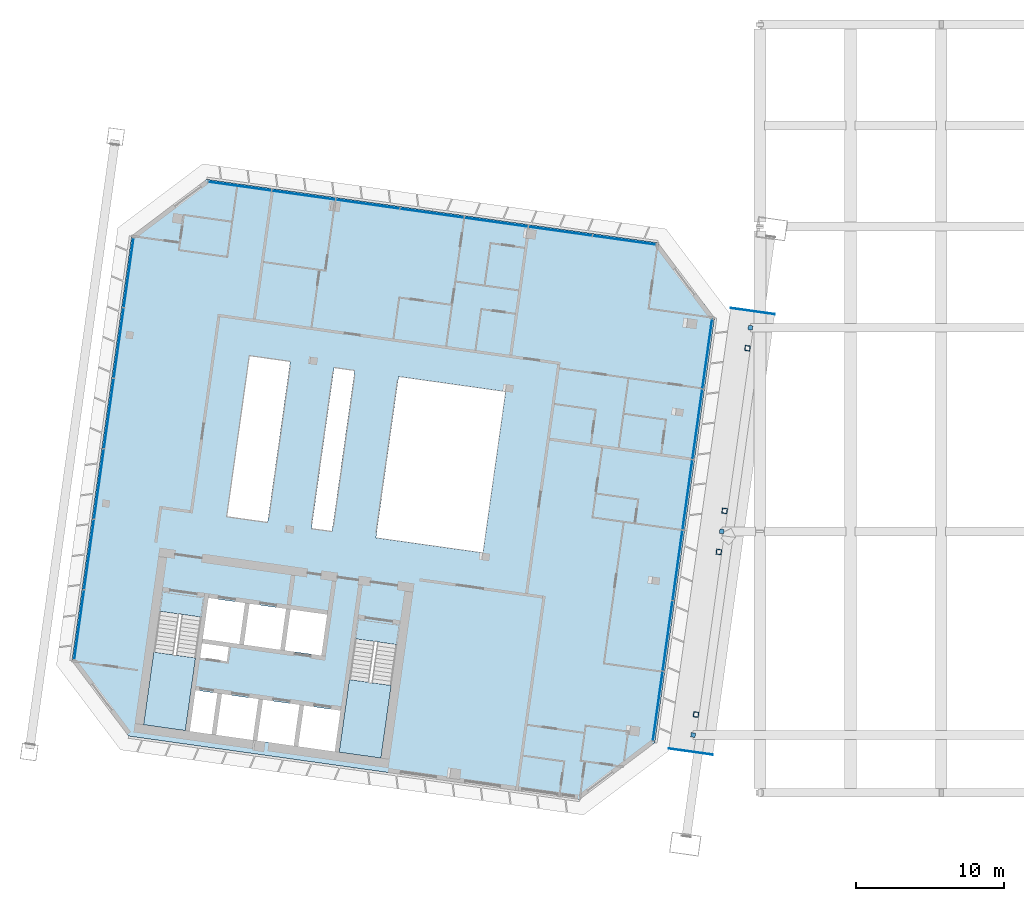
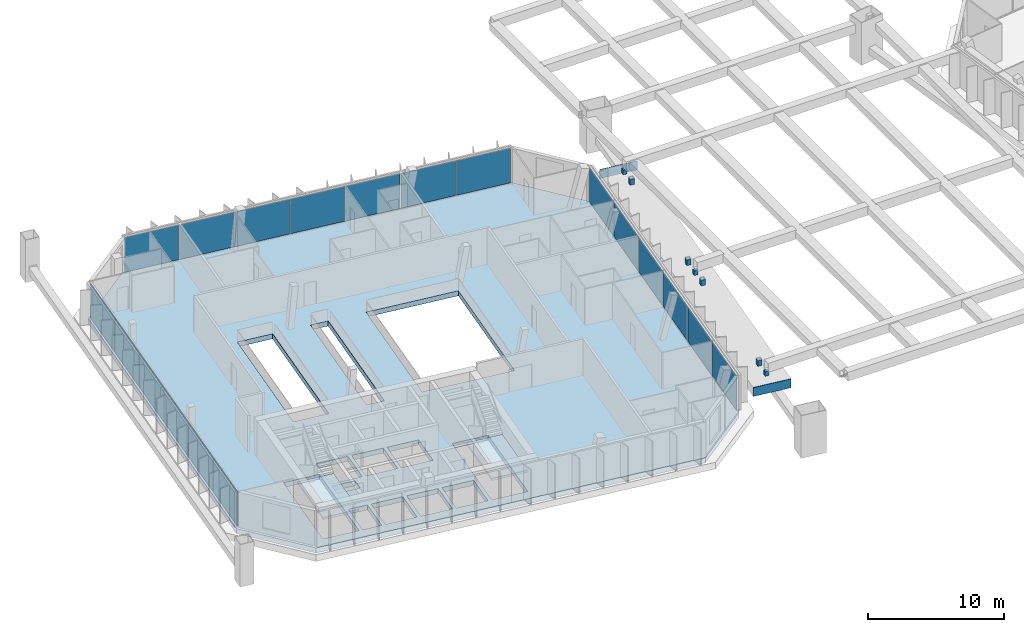
# One storey, part 19 of 36: 21 plates, 7 members, 3 slabs, 5 elements without a shape of their own.
"""IFC4 building model written with IfcOpenShell, lengths in metres."""

from ifc_helpers import new_model, si_unit, direction, frame, origin, origin_2d, place, context, subcontext, project, spatial, polyline, rectangle, hollow_rectangle, outline, extrude, material, layer, layer_set, material_profile, profile_set, type_object, element, aggregate, save


model = new_model("IFC4")

# Units and contexts
model_context = context("Model", 3, precision=1e-05, world=origin(), true_north=direction((0.0, 1.0)))
body_context = subcontext(model_context, "Body", "Model", "MODEL_VIEW")
ifc_project = project(units=[si_unit("LENGTHUNIT", "METRE"), si_unit("AREAUNIT", "SQUARE_METRE"), si_unit("VOLUMEUNIT", "CUBIC_METRE"), si_unit("PLANEANGLEUNIT", "RADIAN"), si_unit("MASSUNIT", "GRAM", prefix="KILO")], contexts=[model_context])

# Site, building, storey
site_placement = place(None, origin())
site = spatial("IfcSite", under=ifc_project, at=site_placement, CompositionType="ELEMENT")
building_placement = place(site_placement, origin())
building = spatial("IfcBuilding", under=site, at=building_placement, Name="Mirante Cascada Hotel Towers", CompositionType="ELEMENT")
storey_placement = place(building_placement, frame((0.0, 0.0, 254.6)))
storey = spatial("IfcBuildingStorey", under=building, at=storey_placement, Name="L61", CompositionType="ELEMENT", Elevation=254.6)

# Members
ifc_material_1 = material(Name="Steel ASTM A572 Gr 50", Category="steel")
ifc_material_profile_1 = material_profile(ifc_material_1, hollow_rectangle(XDim=0.35, YDim=0.35, WallThickness=0.025, at=origin_2d()), Name="Box post 350x350x25 ASTM A572 Gr 50")
ifc_profile_set_1 = profile_set([ifc_material_profile_1], Name="Steel ASTM A572 Gr 50")
member_type_1 = type_object("IfcMemberType", Name="Box post 350x350x25 ASTM A572 Gr 50", PredefinedType="POST", material=ifc_profile_set_1)
for number, where, z_axis, x_axis, name in (
    (1, (-16.5699, -16.2289, 2.1), (0.0, 0.0, 1.0), (-0.9902681, 0.1391731, 0.0), "Shock stop T1 1"),
    (2, (-15.0251, -5.2369, 2.1), (0.0, 0.0, 1.0), (-0.9902681, 0.1391731, 0.0), "Shock stop T1 2"),
    (3, (-14.6354, -2.4642, 2.1), (0.0, 0.0, 1.0), (-0.9902681, 0.1391731, 0.0), "Shock stop T1 3"),
    (4, (-13.0906, 8.5278, 2.1), (0.0, 0.0, 1.0), (-0.9902681, 0.1391731, 0.0), "Shock stop T1 4"),
):
    element("IfcMember", number, at=place(storey_placement, frame(where, z_axis=z_axis, x_axis=x_axis)), inside=storey, type_object=member_type_1, Name=name, PredefinedType="POST", context=body_context, shape_type="SweptSolid", body=[
        extrude(hollow_rectangle(XDim=0.35, YDim=0.35, WallThickness=0.025, at=origin_2d()), origin(), (0.0, 0.0, 1.0), 0.5),
    ])
ifc_material_2 = material(Name="Steel ASTM A572 Gr 50", Category="steel")
ifc_material_profile_2 = material_profile(ifc_material_2, rectangle(XDim=0.3, YDim=0.3, at=origin_2d()), Name="Steel sliding bearing 300x300 ASTM A572 Gr 50")
ifc_profile_set_2 = profile_set([ifc_material_profile_2], Name="Steel ASTM A572 Gr 50")
member_type_2 = type_object("IfcMemberType", Name="Steel sliding bearing 300x300 ASTM A572 Gr 50", PredefinedType="USERDEFINED", material=ifc_profile_set_2)
for number, where, z_axis, x_axis, name in (
    (5, (-16.7647, -17.6153, 2.1), (0.0, 0.0, 1.0), (-0.9902681, 0.1391731, 0.0), "Sliding bearing T1 1"),
    (6, (-14.8302, -3.8505, 2.1), (0.0, 0.0, 1.0), (-0.9902681, 0.1391731, 0.0), "Sliding bearing T1 2"),
    (7, (-12.8957, 9.9142, 2.1), (0.0, 0.0, 1.0), (-0.9902681, 0.1391731, 0.0), "Sliding bearing T1 3"),
):
    element("IfcMember", number, at=place(storey_placement, frame(where, z_axis=z_axis, x_axis=x_axis)), inside=storey, type_object=member_type_2, Name=name, ObjectType="BEARING", PredefinedType="USERDEFINED", context=body_context, shape_type="SweptSolid", body=[
        extrude(rectangle(XDim=0.3, YDim=0.3, at=origin_2d()), origin(), (0.0, 0.0, 1.0), 0.4),
    ])

# Curtain wall, plates
ifc_material_3 = material(Name="Aluminium mullion and transom frame with clear laminated glass", Category="aluminium")
curtain_wall_type_1 = type_object("IfcCurtainWallType", Name="Ribbon curtain wall ECW1", PredefinedType="NOTDEFINED", material=ifc_material_3)
curtain_wall_1_placement = place(storey_placement, origin())
curtain_wall_1 = element("IfcCurtainWall", 8, at=curtain_wall_1_placement, inside=storey, type_object=curtain_wall_type_1, Name="Front ribbon wall T1 L61", PredefinedType="NOTDEFINED")
ifc_material_4 = material(Name="Clear laminated glass", Category="glass")
ifc_layer_1 = layer(ifc_material_4, 0.036)
ifc_layer_set_1 = layer_set([ifc_layer_1], Name="ECW1 glass panel 36")
plate_type_1 = type_object("IfcPlateType", Name="ECW1 glass panel 36", PredefinedType="CURTAIN_PANEL", material=ifc_layer_set_1)
plate_1_placement = place(storey_placement, frame((-47.4111, 19.4822, 0.1), z_axis=(0.0, 0.0, 1.0), x_axis=(0.9902681, -0.1391731, 0.0)))
plate_1 = element("IfcPlate", 9, at=plate_1_placement, type_object=plate_type_1, Name="ECW1 panel 1", PredefinedType="CURTAIN_PANEL", context=body_context, shape_type="SweptSolid", body=[
    extrude(rectangle(XDim=4.283, YDim=0.036, at=origin_2d()), origin(), (0.0, 0.0, 1.0), 3.1),
])
plate_2_placement = place(storey_placement, frame((-43.0893, 18.8748, 0.1), z_axis=(0.0, 0.0, 1.0), x_axis=(0.9902681, -0.1391731, 0.0)))
plate_2 = element("IfcPlate", 10, at=plate_2_placement, type_object=plate_type_1, Name="ECW1 panel 2", PredefinedType="CURTAIN_PANEL", context=body_context, shape_type="SweptSolid", body=[
    extrude(rectangle(XDim=4.3155, YDim=0.036, at=origin_2d()), origin(), (0.0, 0.0, 1.0), 3.1),
])
plate_3_placement = place(storey_placement, frame((-38.7514, 18.2652, 0.1), z_axis=(0.0, 0.0, 1.0), x_axis=(0.9902681, -0.1391731, 0.0)))
plate_3 = element("IfcPlate", 11, at=plate_3_placement, type_object=plate_type_1, Name="ECW1 panel 3", PredefinedType="CURTAIN_PANEL", context=body_context, shape_type="SweptSolid", body=[
    extrude(rectangle(XDim=4.3155, YDim=0.036, at=origin_2d()), origin(), (0.0, 0.0, 1.0), 3.1),
])
plate_4_placement = place(storey_placement, frame((-34.4135, 17.6555, 0.1), z_axis=(0.0, 0.0, 1.0), x_axis=(0.9902681, -0.1391731, 0.0)))
plate_4 = element("IfcPlate", 12, at=plate_4_placement, type_object=plate_type_1, Name="ECW1 panel 4", PredefinedType="CURTAIN_PANEL", context=body_context, shape_type="SweptSolid", body=[
    extrude(rectangle(XDim=4.3155, YDim=0.036, at=origin_2d()), origin(), (0.0, 0.0, 1.0), 3.1),
])
plate_5_placement = place(storey_placement, frame((-30.0756, 17.0459, 0.1), z_axis=(0.0, 0.0, 1.0), x_axis=(0.9902681, -0.1391731, 0.0)))
plate_5 = element("IfcPlate", 13, at=plate_5_placement, type_object=plate_type_1, Name="ECW1 panel 5", PredefinedType="CURTAIN_PANEL", context=body_context, shape_type="SweptSolid", body=[
    extrude(rectangle(XDim=4.3155, YDim=0.036, at=origin_2d()), origin(), (0.0, 0.0, 1.0), 3.1),
])
plate_6_placement = place(storey_placement, frame((-25.7377, 16.4362, 0.1), z_axis=(0.0, 0.0, 1.0), x_axis=(0.9902681, -0.1391731, 0.0)))
plate_6 = element("IfcPlate", 14, at=plate_6_placement, type_object=plate_type_1, Name="ECW1 panel 6", PredefinedType="CURTAIN_PANEL", context=body_context, shape_type="SweptSolid", body=[
    extrude(rectangle(XDim=4.3155, YDim=0.036, at=origin_2d()), origin(), (0.0, 0.0, 1.0), 3.1),
])
plate_7_placement = place(storey_placement, frame((-21.416, 15.8288, 0.1), z_axis=(0.0, 0.0, 1.0), x_axis=(0.9902681, -0.1391731, 0.0)))
plate_7 = element("IfcPlate", 15, at=plate_7_placement, type_object=plate_type_1, Name="ECW1 panel 7", PredefinedType="CURTAIN_PANEL", context=body_context, shape_type="SweptSolid", body=[
    extrude(rectangle(XDim=4.283, YDim=0.036, at=origin_2d()), origin(), (0.0, 0.0, 1.0), 3.1),
])
aggregate(curtain_wall_1, [plate_1, plate_2, plate_3, plate_4, plate_5, plate_6, plate_7])

ifc_material_5 = material(Name="Aluminium mullion and transom frame with clear laminated glass", Category="aluminium")
curtain_wall_type_2 = type_object("IfcCurtainWallType", Name="End ribbon curtain wall ECW2", PredefinedType="NOTDEFINED", material=ifc_material_5)
curtain_wall_2_placement = place(storey_placement, origin())
curtain_wall_2 = element("IfcCurtainWall", 16, at=curtain_wall_2_placement, inside=storey, type_object=curtain_wall_type_2, Name="Inner end wall T1 L61", PredefinedType="NOTDEFINED")
ifc_material_6 = material(Name="Clear laminated glass", Category="glass")
ifc_layer_2 = layer(ifc_material_6, 0.034)
ifc_layer_set_2 = layer_set([ifc_layer_2], Name="ECW2 glass panel 34")
plate_type_2 = type_object("IfcPlateType", Name="ECW2 glass panel 34", PredefinedType="CURTAIN_PANEL", material=ifc_layer_set_2)
plate_8_placement = place(storey_placement, frame((-15.8129, 8.1395, 0.1), z_axis=(0.0, 0.0, 1.0), x_axis=(-0.1391731, -0.9902681, 0.0)))
plate_8 = element("IfcPlate", 17, at=plate_8_placement, type_object=plate_type_2, Name="ECW2 panel 1", PredefinedType="CURTAIN_PANEL", context=body_context, shape_type="SweptSolid", body=[
    extrude(rectangle(XDim=4.7151, YDim=0.034, at=origin_2d()), origin(), (0.0, 0.0, 1.0), 3.1),
])
plate_9_placement = place(storey_placement, frame((-16.4805, 3.3898, 0.1), z_axis=(0.0, 0.0, 1.0), x_axis=(-0.1391731, -0.9902681, 0.0)))
plate_9 = element("IfcPlate", 18, at=plate_9_placement, type_object=plate_type_2, Name="ECW2 panel 2", PredefinedType="CURTAIN_PANEL", context=body_context, shape_type="SweptSolid", body=[
    extrude(rectangle(XDim=4.7476, YDim=0.034, at=origin_2d()), origin(), (0.0, 0.0, 1.0), 3.1),
])
plate_10_placement = place(storey_placement, frame((-17.1502, -1.376, 0.1), z_axis=(0.0, 0.0, 1.0), x_axis=(-0.1391731, -0.9902681, 0.0)))
plate_10 = element("IfcPlate", 19, at=plate_10_placement, type_object=plate_type_2, Name="ECW2 panel 3", PredefinedType="CURTAIN_PANEL", context=body_context, shape_type="SweptSolid", body=[
    extrude(rectangle(XDim=4.7476, YDim=0.034, at=origin_2d()), origin(), (0.0, 0.0, 1.0), 3.1),
])
plate_11_placement = place(storey_placement, frame((-17.82, -6.1417, 0.1), z_axis=(0.0, 0.0, 1.0), x_axis=(-0.1391731, -0.9902681, 0.0)))
plate_11 = element("IfcPlate", 20, at=plate_11_placement, type_object=plate_type_2, Name="ECW2 panel 4", PredefinedType="CURTAIN_PANEL", context=body_context, shape_type="SweptSolid", body=[
    extrude(rectangle(XDim=4.7476, YDim=0.034, at=origin_2d()), origin(), (0.0, 0.0, 1.0), 3.1),
])
plate_12_placement = place(storey_placement, frame((-18.4898, -10.9075, 0.1), z_axis=(0.0, 0.0, 1.0), x_axis=(-0.1391731, -0.9902681, 0.0)))
plate_12 = element("IfcPlate", 21, at=plate_12_placement, type_object=plate_type_2, Name="ECW2 panel 5", PredefinedType="CURTAIN_PANEL", context=body_context, shape_type="SweptSolid", body=[
    extrude(rectangle(XDim=4.7476, YDim=0.034, at=origin_2d()), origin(), (0.0, 0.0, 1.0), 3.1),
])
plate_13_placement = place(storey_placement, frame((-19.1573, -15.6572, 0.1), z_axis=(0.0, 0.0, 1.0), x_axis=(-0.1391731, -0.9902681, 0.0)))
plate_13 = element("IfcPlate", 22, at=plate_13_placement, type_object=plate_type_2, Name="ECW2 panel 6", PredefinedType="CURTAIN_PANEL", context=body_context, shape_type="SweptSolid", body=[
    extrude(rectangle(XDim=4.7151, YDim=0.034, at=origin_2d()), origin(), (0.0, 0.0, 1.0), 3.1),
])
aggregate(curtain_wall_2, [plate_8, plate_9, plate_10, plate_11, plate_12, plate_13])

curtain_wall_3_placement = place(storey_placement, origin())
curtain_wall_3 = element("IfcCurtainWall", 23, at=curtain_wall_3_placement, inside=storey, type_object=curtain_wall_type_2, Name="Outer end wall T1 L61", PredefinedType="NOTDEFINED")
plate_14_placement = place(storey_placement, frame((-58.2609, -10.1616, 0.1), z_axis=(0.0, 0.0, 1.0), x_axis=(0.1391731, 0.9902681, 0.0)))
plate_14 = element("IfcPlate", 24, at=plate_14_placement, type_object=plate_type_2, Name="ECW2 panel 1", PredefinedType="CURTAIN_PANEL", context=body_context, shape_type="SweptSolid", body=[
    extrude(rectangle(XDim=4.7151, YDim=0.034, at=origin_2d()), origin(), (0.0, 0.0, 1.0), 3.1),
])
plate_15_placement = place(storey_placement, frame((-57.5934, -5.4119, 0.1), z_axis=(0.0, 0.0, 1.0), x_axis=(0.1391731, 0.9902681, 0.0)))
plate_15 = element("IfcPlate", 25, at=plate_15_placement, type_object=plate_type_2, Name="ECW2 panel 2", PredefinedType="CURTAIN_PANEL", context=body_context, shape_type="SweptSolid", body=[
    extrude(rectangle(XDim=4.7476, YDim=0.034, at=origin_2d()), origin(), (0.0, 0.0, 1.0), 3.1),
])
plate_16_placement = place(storey_placement, frame((-56.9236, -0.6461, 0.1), z_axis=(0.0, 0.0, 1.0), x_axis=(0.1391731, 0.9902681, 0.0)))
plate_16 = element("IfcPlate", 26, at=plate_16_placement, type_object=plate_type_2, Name="ECW2 panel 3", PredefinedType="CURTAIN_PANEL", context=body_context, shape_type="SweptSolid", body=[
    extrude(rectangle(XDim=4.7476, YDim=0.034, at=origin_2d()), origin(), (0.0, 0.0, 1.0), 3.1),
])
plate_17_placement = place(storey_placement, frame((-56.2538, 4.1197, 0.1), z_axis=(0.0, 0.0, 1.0), x_axis=(0.1391731, 0.9902681, 0.0)))
plate_17 = element("IfcPlate", 27, at=plate_17_placement, type_object=plate_type_2, Name="ECW2 panel 4", PredefinedType="CURTAIN_PANEL", context=body_context, shape_type="SweptSolid", body=[
    extrude(rectangle(XDim=4.7476, YDim=0.034, at=origin_2d()), origin(), (0.0, 0.0, 1.0), 3.1),
])
plate_18_placement = place(storey_placement, frame((-55.584, 8.8855, 0.1), z_axis=(0.0, 0.0, 1.0), x_axis=(0.1391731, 0.9902681, 0.0)))
plate_18 = element("IfcPlate", 28, at=plate_18_placement, type_object=plate_type_2, Name="ECW2 panel 5", PredefinedType="CURTAIN_PANEL", context=body_context, shape_type="SweptSolid", body=[
    extrude(rectangle(XDim=4.7476, YDim=0.034, at=origin_2d()), origin(), (0.0, 0.0, 1.0), 3.1),
])
plate_19_placement = place(storey_placement, frame((-54.9165, 13.6352, 0.1), z_axis=(0.0, 0.0, 1.0), x_axis=(0.1391731, 0.9902681, 0.0)))
plate_19 = element("IfcPlate", 29, at=plate_19_placement, type_object=plate_type_2, Name="ECW2 panel 6", PredefinedType="CURTAIN_PANEL", context=body_context, shape_type="SweptSolid", body=[
    extrude(rectangle(XDim=4.7151, YDim=0.034, at=origin_2d()), origin(), (0.0, 0.0, 1.0), 3.1),
])
aggregate(curtain_wall_3, [plate_14, plate_15, plate_16, plate_17, plate_18, plate_19])

# Plates
ifc_material_7 = material(Name="Steel ASTM A572 Gr 50", Category="steel")
ifc_layer_3 = layer(ifc_material_7, 0.04)
ifc_layer_set_3 = layer_set([ifc_layer_3], Name="End plate 800x3000x40 ASTM A572 Gr 50")
plate_type_3 = type_object("IfcPlateType", Name="End plate 800x3000x40 ASTM A572 Gr 50", PredefinedType="SHEET", material=ifc_layer_set_3)
for number, where, z_axis, x_axis, name in (
    (30, (-16.9221, -18.7351, 1.3), (0.0, 0.0, 1.0), (0.1391731, 0.9902681, 0.0), "End plate SP-SEAT"),
    (31, (-12.7383, 11.034, 1.3), (0.0, 0.0, 1.0), (0.1391731, 0.9902681, 0.0), "End plate SP-SEAT"),
):
    element("IfcPlate", number, at=place(storey_placement, frame(where, z_axis=z_axis, x_axis=x_axis)), inside=storey, type_object=plate_type_3, Name=name, PredefinedType="SHEET", context=body_context, shape_type="SweptSolid", body=[
        extrude(rectangle(XDim=0.04, YDim=3.0, at=origin_2d()), origin(), (0.0, 0.0, 1.0), 0.8),
    ])

# Stair, slab
ifc_material_8 = material(Name="Concrete C35/45", Category="concrete")
stair_type = type_object("IfcStairType", Name="Exit stair half-turn 1350 concrete C35/45", PredefinedType="HALF_TURN_STAIR", material=ifc_material_8)
stair_1_placement = place(storey_placement, origin())
stair_1 = element("IfcStair", 32, at=stair_1_placement, inside=storey, type_object=stair_type, Name="L61 Exit stair A", PredefinedType="HALF_TURN_STAIR")
ifc_material_9 = material(Name="Concrete C35/45", Category="concrete")
ifc_layer_4 = layer(ifc_material_9, 0.2)
ifc_layer_set_4 = layer_set([ifc_layer_4], Name="Exit stair landing 200 concrete C35/45")
slab_type_1 = type_object("IfcSlabType", Name="Exit stair landing 200 concrete C35/45", PredefinedType="LANDING", material=ifc_layer_set_4)
slab_1_placement = place(storey_placement, frame((0.0, 0.0, 1.7)))
slab_1 = element("IfcSlab", 33, at=slab_1_placement, type_object=slab_type_1, Name="ST1-A landing 1", PredefinedType="LANDING", context=body_context, shape_type="SweptSolid", body=[
    extrude(outline(polyline([(-39.9987, -13.8659), (-40.6887, -18.7757), (-37.8665, -19.1723), (-37.1765, -14.2626), (-39.9987, -13.8659)])), origin(), (0.0, 0.0, 1.0), 0.2),
])
aggregate(stair_1, [slab_1])

stair_2_placement = place(storey_placement, origin())
stair_2 = element("IfcStair", 34, at=stair_2_placement, inside=storey, type_object=stair_type, Name="L61 Exit stair B", PredefinedType="HALF_TURN_STAIR")
slab_2_placement = place(storey_placement, frame((0.0, 0.0, 1.7)))
slab_2 = element("IfcSlab", 35, at=slab_2_placement, type_object=slab_type_1, Name="ST1-B landing 1", PredefinedType="LANDING", context=body_context, shape_type="SweptSolid", body=[
    extrude(outline(polyline([(-53.2188, -12.008), (-53.9088, -16.9177), (-51.0866, -17.3144), (-50.3965, -12.4046), (-53.2188, -12.008)])), origin(), (0.0, 0.0, 1.0), 0.2),
])
aggregate(stair_2, [slab_2])

# Slab
ifc_material_10 = material(Name="Concrete C40/50", Category="concrete")
ifc_layer_5 = layer(ifc_material_10, 0.45)
ifc_layer_set_5 = layer_set([ifc_layer_5], Name="Post-tensioned flat plate 450 Concrete C40/50")
slab_type_2 = type_object("IfcSlabType", Name="Post-tensioned flat plate 450 Concrete C40/50", PredefinedType="FLOOR", material=ifc_layer_set_5)
slab_3_placement = place(storey_placement, frame((0.0, 0.0, -0.45)))
element("IfcSlab", 36, at=slab_3_placement, inside=storey, type_object=slab_type_2, Name="Floor T1 L61", PredefinedType="FLOOR", context=body_context, shape_type="SweptSolid", body=[
    extrude(outline(polyline([(-19.3546, -18.1386), (-15.3186, 10.5792), (-19.1485, 15.6616), (-49.6367, 19.9465), (-54.7192, 16.1166), (-58.7552, -12.6012), (-54.9253, -17.6837), (-24.4371, -21.9685), (-19.3546, -18.1386)]), holes=[polyline([(-40.5961, -15.9612), (-40.9858, -18.7339), (-43.4615, -18.386), (-43.0718, -15.6132), (-40.5961, -15.9612)]), polyline([(-43.3689, -15.5715), (-43.7586, -18.3442), (-46.2342, -17.9963), (-45.8446, -15.2236), (-43.3689, -15.5715)]), polyline([(-37.8665, -19.1723), (-40.6887, -18.7757), (-39.611, -11.107), (-36.7887, -11.5037), (-37.8665, -19.1723)]), polyline([(-43.9775, -9.124), (-41.5018, -9.472), (-41.8915, -12.2447), (-44.3672, -11.8968), (-43.9775, -9.124)]), polyline([(-46.7503, -8.7344), (-44.2746, -9.0823), (-44.6643, -11.855), (-47.1399, -11.5071), (-46.7503, -8.7344)]), polyline([(-38.2014, -4.2808), (-36.6705, 6.6122), (-29.4384, 5.5958), (-30.9693, -5.2972), (-38.2014, -4.2808)]), polyline([(-42.5569, -3.6687), (-42.5569, -3.6687), (-41.026, 7.2243), (-39.6433, 7.03), (-41.1742, -3.863), (-41.1742, -3.863), (-42.5569, -3.6687)]), polyline([(-48.298, -2.8618), (-46.7671, 8.0312), (-43.9988, 7.6421), (-45.5297, -3.2509), (-45.5297, -3.2509), (-48.298, -2.8618)]), polyline([(-48.6173, -14.8339), (-46.1416, -15.1818), (-46.5313, -17.9546), (-49.007, -17.6066), (-48.6173, -14.8339)]), polyline([(-50.3998, -14.5834), (-48.9144, -14.7921), (-49.3041, -17.5649), (-50.7895, -17.3561), (-50.3998, -14.5834)]), polyline([(-51.0866, -17.3144), (-53.9088, -16.9177), (-52.8311, -9.2491), (-50.0088, -9.6457), (-51.0866, -17.3144)]), polyline([(-49.9544, -11.4145), (-48.1472, -11.6685), (-48.2829, -12.634), (-50.0901, -12.38), (-49.9544, -11.4145)]), polyline([(-49.523, -8.3447), (-47.0473, -8.6926), (-47.437, -11.4654), (-49.9127, -11.1174), (-49.523, -8.3447)])]), origin(), (0.0, 0.0, 1.0), 0.45),
])

save(model, "model.ifc")
